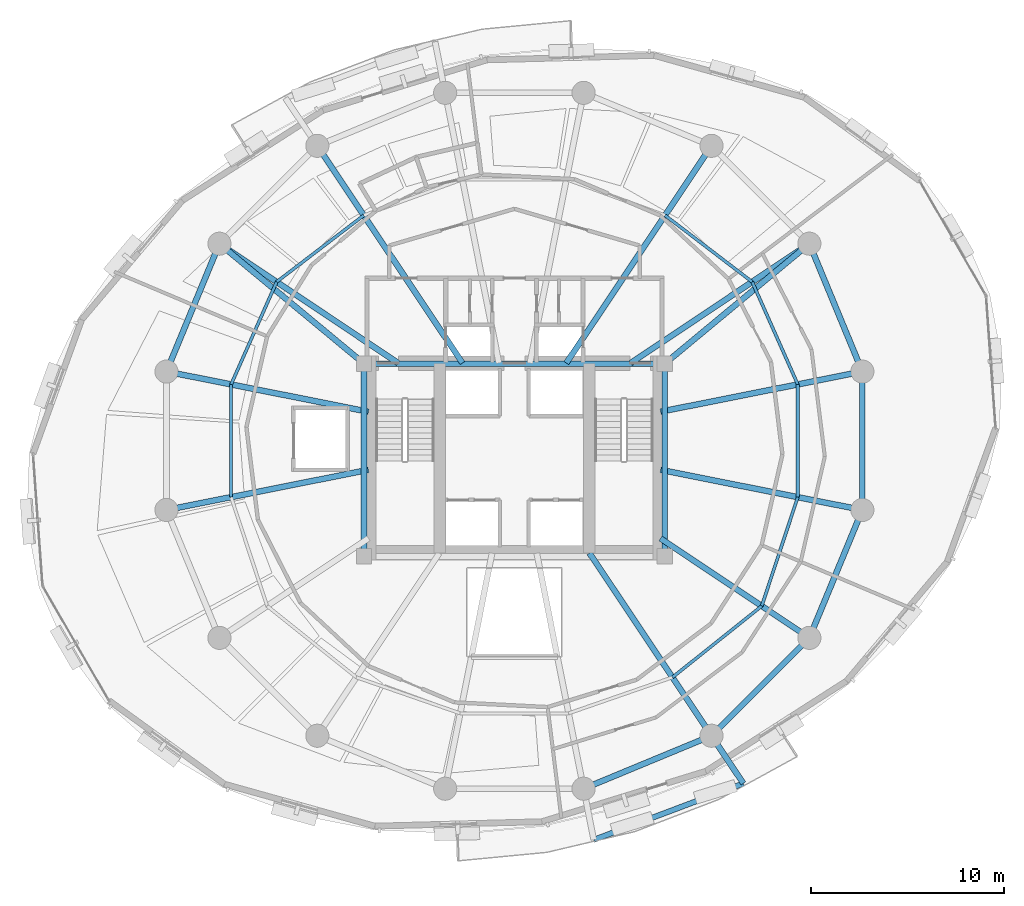
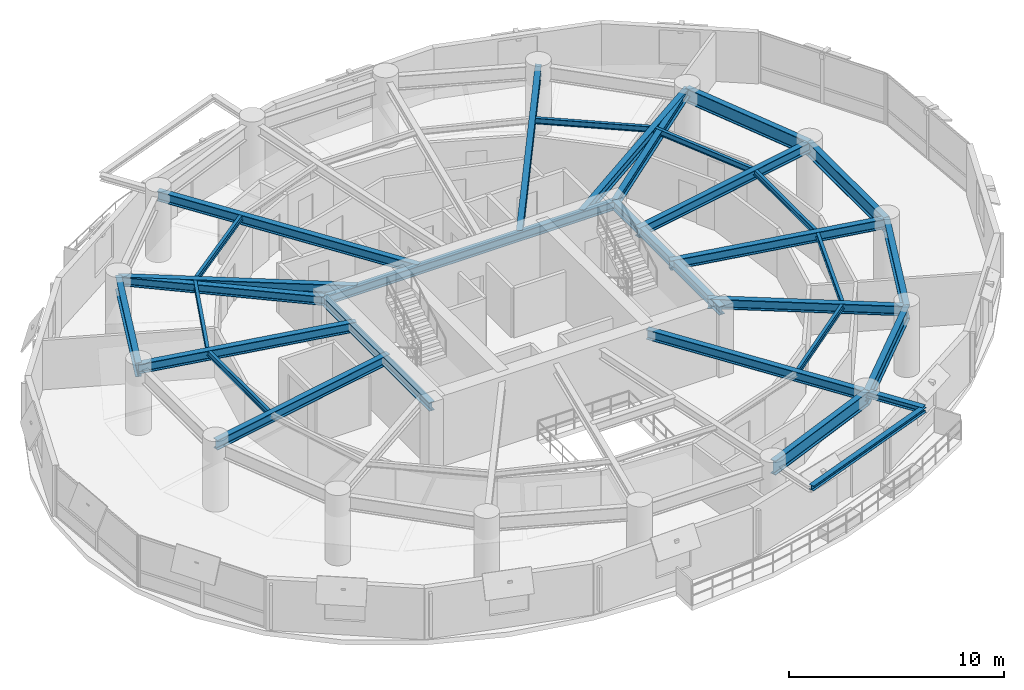
# One storey, part 5 of 15: 31 beams.
"""IFC4 building model written with IfcOpenShell, lengths in metres."""

from ifc_helpers import new_model, si_unit, direction, frame, origin, origin_2d, place, context, subcontext, project, spatial, i_section, extrude, material, material_profile, profile_set, type_object, element, save


model = new_model("IFC4")

# Units and contexts
model_context = context("Model", 3, precision=1e-05, world=origin(), true_north=direction((0.0, 1.0)))
body_context = subcontext(model_context, "Body", "Model", "MODEL_VIEW")
ifc_project = project(units=[si_unit("LENGTHUNIT", "METRE"), si_unit("AREAUNIT", "SQUARE_METRE"), si_unit("VOLUMEUNIT", "CUBIC_METRE"), si_unit("PLANEANGLEUNIT", "RADIAN"), si_unit("MASSUNIT", "GRAM", prefix="KILO"), si_unit("THERMODYNAMICTEMPERATUREUNIT", "KELVIN"), si_unit("POWERUNIT", "WATT")], contexts=[model_context])

# Site, building, storey
site_placement = place(None, origin())
site = spatial("IfcSite", under=ifc_project, at=site_placement, CompositionType="ELEMENT")
building_placement = place(site_placement, origin())
building = spatial("IfcBuilding", under=site, at=building_placement, Name="Ocrelia Relay Tower", CompositionType="ELEMENT")
storey_placement = place(building_placement, frame((0.0, 0.0, 105.800048828125)))
storey = spatial("IfcBuildingStorey", under=building, at=storey_placement, Name="L24", CompositionType="ELEMENT", Elevation=105.800048828125)

# Beams
ifc_material = material(Name="Steel S355", Category="steel")
ifc_material_profile_1 = material_profile(ifc_material, i_section(OverallWidth=0.280029296875, OverallDepth=0.27001953125, WebThickness=0.008056640625, FlangeThickness=0.012939453125, FilletRadius=0.02392578125, at=origin_2d()), Name="HEA 280")
ifc_profile_set_1 = profile_set([ifc_material_profile_1], Name="Steel S355")
beam_type_1 = type_object("IfcBeamType", Name="BM-HEA280", PredefinedType="BEAM", material=ifc_profile_set_1)
beam_1_placement = place(storey_placement, frame((38.1171875, 5.3017578125, 3.5849609375), z_axis=(0.935736159667, 0.352700778977, 0.0), x_axis=(-0.352700778977, 0.935736159667, 0.0)))
element("IfcBeam", 1, at=beam_1_placement, inside=storey, type_object=beam_type_1, Name="L25 Balcony Edge Trimmer Beam B2", PredefinedType="BEAM", context=body_context, shape_type="SweptSolid", body=[
    extrude(i_section(OverallWidth=0.280029296875, OverallDepth=0.27001953125, WebThickness=0.008056640625, FlangeThickness=0.012939453125, FilletRadius=0.02392578125, at=origin_2d()), origin(), (0.0, 0.0, 1.0), 8.2919921875),
])
ifc_material_profile_2 = material_profile(ifc_material, i_section(OverallWidth=0.300048828125, OverallDepth=0.330078125, WebThickness=0.009521484375, FlangeThickness=0.0166015625, FilletRadius=0.027099609375, at=origin_2d()), Name="HEA 340")
ifc_profile_set_2 = profile_set([ifc_material_profile_2], Name="Steel S355")
beam_type_2 = type_object("IfcBeamType", Name="BM-HEA340", PredefinedType="BEAM", material=ifc_profile_set_2)
beam_2_placement = place(storey_placement, frame((44.222412109375, 10.700927734375, 3.554931640625), z_axis=(0.555646294904, -0.831418784344, 0.0), x_axis=(0.831418784344, 0.555646294904, 0.0)))
element("IfcBeam", 2, at=beam_2_placement, inside=storey, type_object=beam_type_2, Name="L25 Balcony Cantilever Beam B2-2", PredefinedType="BEAM", context=body_context, shape_type="SweptSolid", body=[
    extrude(i_section(OverallWidth=0.300048828125, OverallDepth=0.330078125, WebThickness=0.009521484375, FlangeThickness=0.0166015625, FilletRadius=0.027099609375, at=origin_2d()), origin(), (0.0, 0.0, 1.0), 2.976318359375),
])
ifc_material_profile_3 = material_profile(ifc_material, i_section(OverallWidth=0.300048828125, OverallDepth=0.5, WebThickness=0.014404296875, FlangeThickness=0.028076171875, FilletRadius=0.027099609375, at=origin_2d()), Name="HEB 500")
ifc_profile_set_3 = profile_set([ifc_material_profile_3], Name="Steel S355")
beam_type_3 = type_object("IfcBeamType", Name="BM-HEB500", PredefinedType="BEAM", material=ifc_profile_set_3)
beam_3_placement = place(storey_placement, frame((26.199951171875, 30.0, 3.469970703125), z_axis=(1.0, 0.0, 0.0), x_axis=(0.0, 1.0, 0.0)))
element("IfcBeam", 3, at=beam_3_placement, inside=storey, type_object=beam_type_3, Name="L24 Core Pilaster Tie Beam N", PredefinedType="BEAM", context=body_context, shape_type="SweptSolid", body=[
    extrude(i_section(OverallWidth=0.300048828125, OverallDepth=0.5, WebThickness=0.014404296875, FlangeThickness=0.028076171875, FilletRadius=0.027099609375, at=origin_2d()), origin(), (0.0, 0.0, 1.0), 15.60009765625),
])
for number, where, z_axis, x_axis, name in (
    (4, (26.199951171875, 20.0, 3.469970703125), (0.0, 1.0, 0.0), (-1.0, 0.0, 0.0), "L24 Core Pilaster Tie Beam W"),
    (5, (41.800048828125, 20.0, 3.469970703125), (0.0, 1.0, 0.0), (-1.0, 0.0, 0.0), "L24 Core Pilaster Tie Beam E"),
):
    element("IfcBeam", number, at=place(storey_placement, frame(where, z_axis=z_axis, x_axis=x_axis)), inside=storey, type_object=beam_type_3, Name=name, PredefinedType="BEAM", context=body_context, shape_type="SweptSolid", body=[
        extrude(i_section(OverallWidth=0.300048828125, OverallDepth=0.5, WebThickness=0.014404296875, FlangeThickness=0.028076171875, FilletRadius=0.027099609375, at=origin_2d()), origin(), (0.0, 0.0, 1.0), 10.0),
    ])
for number, where, z_axis, x_axis, name in (
    (6, (49.299072265625, 36.222412109375, 3.469970703125), (-0.769570862751, -0.638561420072, 0.0), (0.638561420072, -0.769570862751, 0.0), "L24 Core Pilaster Frame Tie Beam PT02"),
    (7, (18.700927734375, 36.222412109375, 3.469970703125), (0.769570862751, -0.638561420072, 0.0), (0.638561420072, 0.769570862751, 0.0), "L24 Core Pilaster Frame Tie Beam PT07"),
):
    element("IfcBeam", number, at=place(storey_placement, frame(where, z_axis=z_axis, x_axis=x_axis)), inside=storey, type_object=beam_type_3, Name=name, PredefinedType="BEAM", context=body_context, shape_type="SweptSolid", body=[
        extrude(i_section(OverallWidth=0.300048828125, OverallDepth=0.5, WebThickness=0.014404296875, FlangeThickness=0.028076171875, FilletRadius=0.027099609375, at=origin_2d()), origin(), (0.0, 0.0, 1.0), 9.744384765625),
    ])
ifc_material_profile_4 = material_profile(ifc_material, i_section(OverallWidth=0.300048828125, OverallDepth=0.550048828125, WebThickness=0.014892578125, FlangeThickness=0.029052734375, FilletRadius=0.027099609375, at=origin_2d()), Name="HEB 550")
ifc_profile_set_4 = profile_set([ifc_material_profile_4], Name="Steel S355")
beam_type_4 = type_object("IfcBeamType", Name="BM-HEB550", PredefinedType="BEAM", material=ifc_profile_set_4)
beam_4_placement = place(storey_placement, frame((52.04638671875, 29.589599609375, 3.445068359375), z_axis=(-0.980786914024, -0.195082109071, 0.0), x_axis=(0.195082109071, -0.980786914024, 0.0)))
element("IfcBeam", 8, at=beam_4_placement, inside=storey, type_object=beam_type_4, Name="L24 Radial Floor Girder R01", PredefinedType="BEAM", context=body_context, shape_type="SweptSolid", body=[
    extrude(i_section(OverallWidth=0.300048828125, OverallDepth=0.550048828125, WebThickness=0.014892578125, FlangeThickness=0.029052734375, FilletRadius=0.027099609375, at=origin_2d()), origin(), (0.0, 0.0, 1.0), 10.67138671875),
])
beam_5_placement = place(storey_placement, frame((49.299072265625, 36.222412109375, 3.445068359375), z_axis=(-0.83147699108, -0.555559189741, 0.0), x_axis=(0.555559189741, -0.83147699108, 0.0)))
element("IfcBeam", 9, at=beam_5_placement, inside=storey, type_object=beam_type_4, Name="L24 Radial Floor Girder R02", PredefinedType="BEAM", context=body_context, shape_type="SweptSolid", body=[
    extrude(i_section(OverallWidth=0.300048828125, OverallDepth=0.550048828125, WebThickness=0.014892578125, FlangeThickness=0.029052734375, FilletRadius=0.027099609375, at=origin_2d()), origin(), (0.0, 0.0, 1.0), 11.146240234375),
])
for number, where, z_axis, x_axis, name in (
    (10, (44.222412109375, 41.299072265625, 3.445068359375), (-0.555560399988, -0.83147618244, 0.0), (0.83147618244, -0.555560399988, 0.0), "L24 Radial Floor Girder R03"),
    (11, (23.777587890625, 41.299072265625, 3.445068359375), (0.555560399988, -0.83147618244, 0.0), (0.83147618244, 0.555560399988, 0.0), "L24 Radial Floor Girder R06"),
):
    element("IfcBeam", number, at=place(storey_placement, frame(where, z_axis=z_axis, x_axis=x_axis)), inside=storey, type_object=beam_type_4, Name=name, PredefinedType="BEAM", context=body_context, shape_type="SweptSolid", body=[
        extrude(i_section(OverallWidth=0.300048828125, OverallDepth=0.550048828125, WebThickness=0.014892578125, FlangeThickness=0.029052734375, FilletRadius=0.027099609375, at=origin_2d()), origin(), (0.0, 0.0, 1.0), 13.552978515625),
    ])
beam_6_placement = place(storey_placement, frame((18.700927734375, 36.222412109375, 3.445068359375), z_axis=(0.83147699108, -0.555559189741, 0.0), x_axis=(0.555559189741, 0.83147699108, 0.0)))
element("IfcBeam", 12, at=beam_6_placement, inside=storey, type_object=beam_type_4, Name="L24 Radial Floor Girder R07", PredefinedType="BEAM", context=body_context, shape_type="SweptSolid", body=[
    extrude(i_section(OverallWidth=0.300048828125, OverallDepth=0.550048828125, WebThickness=0.014892578125, FlangeThickness=0.029052734375, FilletRadius=0.027099609375, at=origin_2d()), origin(), (0.0, 0.0, 1.0), 11.146240234375),
])
for number, where, z_axis, x_axis, name in (
    (13, (15.95361328125, 29.589599609375, 3.445068359375), (0.980787592082, -0.195078700063, 0.0), (0.195078700063, 0.980787592082, 0.0), "L24 Radial Floor Girder R08"),
    (14, (15.95361328125, 22.410400390625, 3.445068359375), (0.980787592082, 0.195078700063, 0.0), (-0.195078700063, 0.980787592082, 0.0), "L24 Radial Floor Girder R09"),
):
    element("IfcBeam", number, at=place(storey_placement, frame(where, z_axis=z_axis, x_axis=x_axis)), inside=storey, type_object=beam_type_4, Name=name, PredefinedType="BEAM", context=body_context, shape_type="SweptSolid", body=[
        extrude(i_section(OverallWidth=0.300048828125, OverallDepth=0.550048828125, WebThickness=0.014892578125, FlangeThickness=0.029052734375, FilletRadius=0.027099609375, at=origin_2d()), origin(), (0.0, 0.0, 1.0), 10.681640625),
    ])
beam_7_placement = place(storey_placement, frame((44.222412109375, 10.700927734375, 3.445068359375), z_axis=(-0.555565661158, 0.831472667105, 0.0), x_axis=(-0.831472667105, -0.555565661158, 0.0)))
element("IfcBeam", 15, at=beam_7_placement, inside=storey, type_object=beam_type_4, Name="L24 Radial Floor Girder R14", PredefinedType="BEAM", context=body_context, shape_type="SweptSolid", body=[
    extrude(i_section(OverallWidth=0.300048828125, OverallDepth=0.550048828125, WebThickness=0.014892578125, FlangeThickness=0.029052734375, FilletRadius=0.027099609375, at=origin_2d()), origin(), (0.0, 0.0, 1.0), 11.38818359375),
])
beam_8_placement = place(storey_placement, frame((49.299072265625, 15.777587890625, 3.445068359375), z_axis=(-0.8314672312, 0.555573796575, 0.0), x_axis=(-0.555573796575, -0.8314672312, 0.0)))
element("IfcBeam", 16, at=beam_8_placement, inside=storey, type_object=beam_type_4, Name="L24 Radial Floor Girder R15", PredefinedType="BEAM", context=body_context, shape_type="SweptSolid", body=[
    extrude(i_section(OverallWidth=0.300048828125, OverallDepth=0.550048828125, WebThickness=0.014892578125, FlangeThickness=0.029052734375, FilletRadius=0.027099609375, at=origin_2d()), origin(), (0.0, 0.0, 1.0), 9.28369140625),
])
beam_9_placement = place(storey_placement, frame((52.04638671875, 22.410400390625, 3.445068359375), z_axis=(-0.980786914024, 0.195082109071, 0.0), x_axis=(-0.195082109071, -0.980786914024, 0.0)))
element("IfcBeam", 17, at=beam_9_placement, inside=storey, type_object=beam_type_4, Name="L24 Radial Floor Girder R16", PredefinedType="BEAM", context=body_context, shape_type="SweptSolid", body=[
    extrude(i_section(OverallWidth=0.300048828125, OverallDepth=0.550048828125, WebThickness=0.014892578125, FlangeThickness=0.029052734375, FilletRadius=0.027099609375, at=origin_2d()), origin(), (0.0, 0.0, 1.0), 10.67138671875),
])
ifc_material_profile_5 = material_profile(ifc_material, i_section(OverallWidth=0.300048828125, OverallDepth=0.800048828125, WebThickness=0.017578125, FlangeThickness=0.032958984375, FilletRadius=0.030029296875, at=origin_2d()), Name="HEB 800")
ifc_profile_set_5 = profile_set([ifc_material_profile_5], Name="Steel S355")
beam_type_5 = type_object("IfcBeamType", Name="BM-HEB800", PredefinedType="BEAM", material=ifc_profile_set_5)
for number, where, z_axis, x_axis, name in (
    (18, (52.04638671875, 29.589599609375, 3.320068359375), (-0.382673155247, 0.923883789366, 0.0), (-0.923883789366, -0.382673155247, 0.0), "L24 Perimeter Spandrel Beam S01"),
    (19, (18.700927734375, 36.222412109375, 3.320068359375), (-0.382673155247, -0.923883789366, 0.0), (0.923883789366, -0.382673155247, 0.0), "L24 Perimeter Spandrel Beam S07"),
    (20, (37.589599609375, 7.95361328125, 3.320068359375), (0.923883789366, 0.382673155247, 0.0), (-0.382673155247, 0.923883789366, 0.0), "L24 Perimeter Spandrel Beam S13"),
):
    element("IfcBeam", number, at=place(storey_placement, frame(where, z_axis=z_axis, x_axis=x_axis)), inside=storey, type_object=beam_type_5, Name=name, PredefinedType="BEAM", context=body_context, shape_type="SweptSolid", body=[
        extrude(i_section(OverallWidth=0.300048828125, OverallDepth=0.800048828125, WebThickness=0.017578125, FlangeThickness=0.032958984375, FilletRadius=0.030029296875, at=origin_2d()), origin(), (0.0, 0.0, 1.0), 7.17919921875),
    ])
beam_10_placement = place(storey_placement, frame((44.222412109375, 10.700927734375, 3.320068359375), z_axis=(0.707106781187, 0.707106781187, 0.0), x_axis=(-0.707106781187, 0.707106781187, 0.0)))
element("IfcBeam", 21, at=beam_10_placement, inside=storey, type_object=beam_type_5, Name="L24 Perimeter Spandrel Beam S14", PredefinedType="BEAM", context=body_context, shape_type="SweptSolid", body=[
    extrude(i_section(OverallWidth=0.300048828125, OverallDepth=0.800048828125, WebThickness=0.017578125, FlangeThickness=0.032958984375, FilletRadius=0.030029296875, at=origin_2d()), origin(), (0.0, 0.0, 1.0), 7.179443359375),
])
for number, where, z_axis, x_axis, name in (
    (22, (49.299072265625, 15.777587890625, 3.320068359375), (0.382673155247, 0.923883789366, 0.0), (-0.923883789366, 0.382673155247, 0.0), "L24 Perimeter Spandrel Beam S15"),
    (23, (52.04638671875, 22.410400390625, 3.320068359375), (0.0, 1.0, 0.0), (-1.0, 0.0, 0.0), "L24 Perimeter Spandrel Beam S16"),
):
    element("IfcBeam", number, at=place(storey_placement, frame(where, z_axis=z_axis, x_axis=x_axis)), inside=storey, type_object=beam_type_5, Name=name, PredefinedType="BEAM", context=body_context, shape_type="SweptSolid", body=[
        extrude(i_section(OverallWidth=0.300048828125, OverallDepth=0.800048828125, WebThickness=0.017578125, FlangeThickness=0.032958984375, FilletRadius=0.030029296875, at=origin_2d()), origin(), (0.0, 0.0, 1.0), 7.17919921875),
    ])
ifc_material_profile_6 = material_profile(ifc_material, i_section(OverallWidth=0.159912109375, OverallDepth=0.330078125, WebThickness=0.007568359375, FlangeThickness=0.011474609375, FilletRadius=0.01806640625, at=origin_2d()), Name="IPE 330")
ifc_profile_set_6 = profile_set([ifc_material_profile_6], Name="Steel S355")
beam_type_6 = type_object("IfcBeamType", Name="BM-IPE330", PredefinedType="JOIST", material=ifc_profile_set_6)
beam_11_placement = place(storey_placement, frame((48.697265625, 28.923583984375, 3.554931640625), z_axis=(-0.406243565397, 0.913764830563, 0.0), x_axis=(-0.913764830563, -0.406243565397, 0.0)))
element("IfcBeam", 24, at=beam_11_placement, inside=storey, type_object=beam_type_6, Name="L24 Secondary Floor Joist J01", PredefinedType="JOIST", context=body_context, shape_type="SweptSolid", body=[
    extrude(i_section(OverallWidth=0.159912109375, OverallDepth=0.330078125, WebThickness=0.007568359375, FlangeThickness=0.011474609375, FilletRadius=0.01806640625, at=origin_2d()), origin(), (0.0, 0.0, 1.0), 5.819091796875),
])
for number, where, z_axis, x_axis, name in (
    (25, (46.333251953125, 34.240966796875, 3.554931640625), (-0.794762167004, 0.60692099807, 0.0), (-0.60692099807, -0.794762167004, 0.0), "L24 Secondary Floor Joist J02"),
    (26, (26.18701171875, 37.69287109375, 3.554931640625), (-0.794762167004, -0.60692099807, 0.0), (0.60692099807, -0.794762167004, 0.0), "L24 Secondary Floor Joist J06"),
):
    element("IfcBeam", number, at=place(storey_placement, frame(where, z_axis=z_axis, x_axis=x_axis)), inside=storey, type_object=beam_type_6, Name=name, PredefinedType="JOIST", context=body_context, shape_type="SweptSolid", body=[
        extrude(i_section(OverallWidth=0.159912109375, OverallDepth=0.330078125, WebThickness=0.007568359375, FlangeThickness=0.011474609375, FilletRadius=0.01806640625, at=origin_2d()), origin(), (0.0, 0.0, 1.0), 5.6875),
    ])
beam_12_placement = place(storey_placement, frame((21.666748046875, 34.240966796875, 3.554931640625), z_axis=(-0.405741333342, -0.913987948727, 0.0), x_axis=(0.913987948727, -0.405741333342, 0.0)))
element("IfcBeam", 27, at=beam_12_placement, inside=storey, type_object=beam_type_6, Name="L24 Secondary Floor Joist J07", PredefinedType="JOIST", context=body_context, shape_type="SweptSolid", body=[
    extrude(i_section(OverallWidth=0.159912109375, OverallDepth=0.330078125, WebThickness=0.007568359375, FlangeThickness=0.011474609375, FilletRadius=0.01806640625, at=origin_2d()), origin(), (0.0, 0.0, 1.0), 5.818603515625),
])
beam_13_placement = place(storey_placement, frame((19.305908203125, 28.9228515625, 3.554931640625), z_axis=(0.0, -1.0, 0.0), x_axis=(1.0, 0.0, 0.0)))
element("IfcBeam", 28, at=beam_13_placement, inside=storey, type_object=beam_type_6, Name="L24 Secondary Floor Joist J08", PredefinedType="JOIST", context=body_context, shape_type="SweptSolid", body=[
    extrude(i_section(OverallWidth=0.159912109375, OverallDepth=0.330078125, WebThickness=0.007568359375, FlangeThickness=0.011474609375, FilletRadius=0.01806640625, at=origin_2d()), origin(), (0.0, 0.0, 1.0), 5.845703125),
])
beam_14_placement = place(storey_placement, frame((42.197998046875, 13.731201171875, 3.554931640625), z_axis=(0.781519577804, 0.623880717372, 0.0), x_axis=(-0.623880717372, 0.781519577804, 0.0)))
element("IfcBeam", 29, at=beam_14_placement, inside=storey, type_object=beam_type_6, Name="L24 Secondary Floor Joist J14", PredefinedType="JOIST", context=body_context, shape_type="SweptSolid", body=[
    extrude(i_section(OverallWidth=0.159912109375, OverallDepth=0.330078125, WebThickness=0.007568359375, FlangeThickness=0.011474609375, FilletRadius=0.01806640625, at=origin_2d()), origin(), (0.0, 0.0, 1.0), 5.925537109375),
])
beam_15_placement = place(storey_placement, frame((46.828857421875, 17.427978515625, 3.554931640625), z_axis=(0.314047924314, 0.949407131443, 0.0), x_axis=(-0.949407131443, 0.314047924314, 0.0)))
element("IfcBeam", 30, at=beam_15_placement, inside=storey, type_object=beam_type_6, Name="L24 Secondary Floor Joist J15", PredefinedType="JOIST", context=body_context, shape_type="SweptSolid", body=[
    extrude(i_section(OverallWidth=0.159912109375, OverallDepth=0.330078125, WebThickness=0.007568359375, FlangeThickness=0.011474609375, FilletRadius=0.01806640625, at=origin_2d()), origin(), (0.0, 0.0, 1.0), 5.949462890625),
])
beam_16_placement = place(storey_placement, frame((48.697265625, 23.076416015625, 3.554931640625), z_axis=(0.0, 1.0, 0.0), x_axis=(-1.0, 0.0, 0.0)))
element("IfcBeam", 31, at=beam_16_placement, inside=storey, type_object=beam_type_6, Name="L24 Secondary Floor Joist J16", PredefinedType="JOIST", context=body_context, shape_type="SweptSolid", body=[
    extrude(i_section(OverallWidth=0.159912109375, OverallDepth=0.330078125, WebThickness=0.007568359375, FlangeThickness=0.011474609375, FilletRadius=0.01806640625, at=origin_2d()), origin(), (0.0, 0.0, 1.0), 5.84716796875),
])

save(model, "model.ifc")
